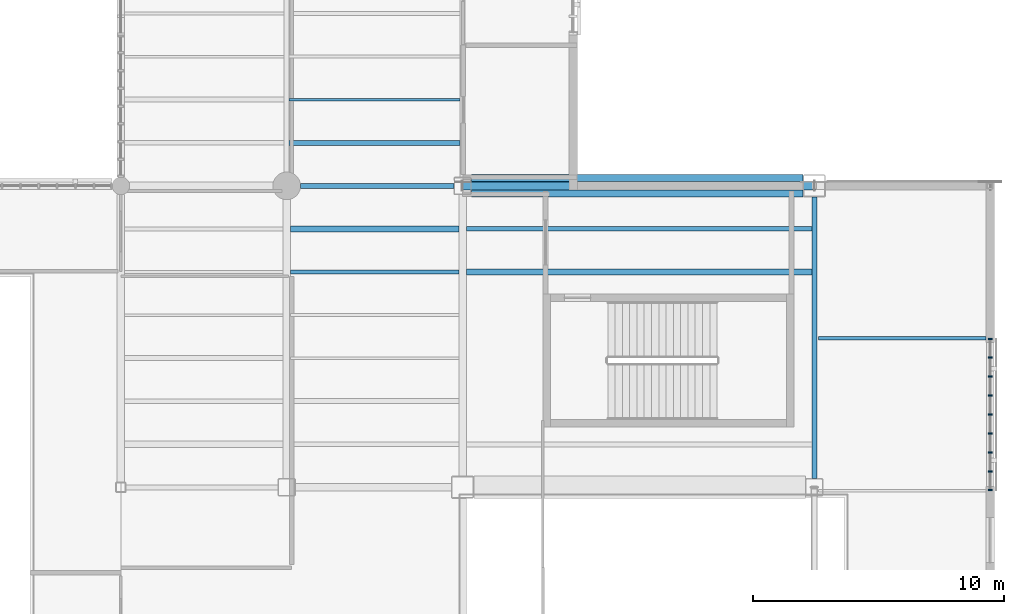
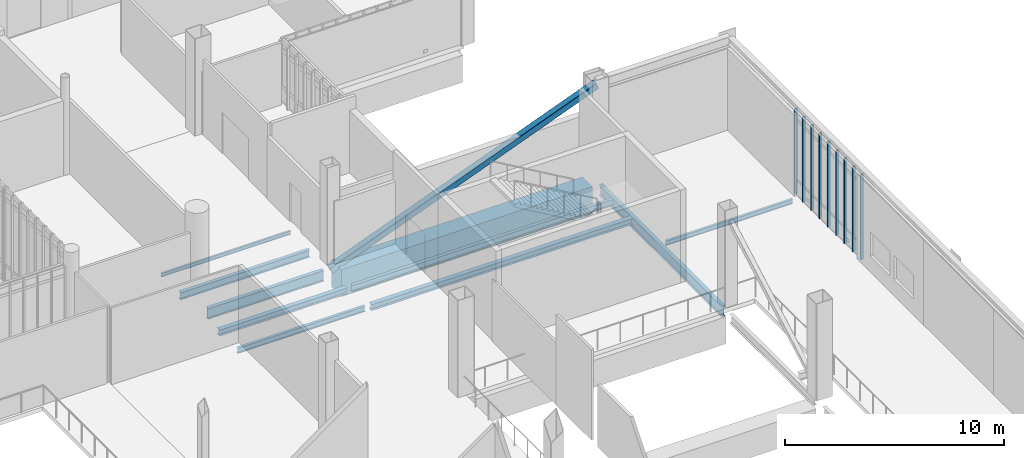
# One storey, part 29 of 127: 10 beams, 10 members, 1 element without a shape of its own.
"""IFC4 building model written with IfcOpenShell, lengths in metres."""

from ifc_helpers import new_model, si_unit, direction, frame, origin, origin_2d, place, context, subcontext, project, spatial, rectangle, hollow_rectangle, i_section, extrude, material, material_profile, profile_set, type_object, element, aggregate, save


model = new_model("IFC4")

# Units and contexts
model_context = context("Model", 3, precision=1e-05, world=origin(), true_north=direction((0.0, 1.0)))
body_context = subcontext(model_context, "Body", "Model", "MODEL_VIEW")
ifc_project = project(units=[si_unit("LENGTHUNIT", "METRE"), si_unit("AREAUNIT", "SQUARE_METRE"), si_unit("VOLUMEUNIT", "CUBIC_METRE"), si_unit("PLANEANGLEUNIT", "RADIAN"), si_unit("MASSUNIT", "GRAM", prefix="KILO")], contexts=[model_context])

# Site, building, storey
site_placement = place(None, origin())
site = spatial("IfcSite", under=ifc_project, at=site_placement, CompositionType="ELEMENT")
building_placement = place(site_placement, origin())
building = spatial("IfcBuilding", under=site, at=building_placement, Name="Larkvane Passage Sports Hall", CompositionType="ELEMENT")
storey_placement = place(building_placement, frame((0.0, 0.0, 5.39990234375)))
storey = spatial("IfcBuildingStorey", under=building, at=storey_placement, Name="L01", CompositionType="ELEMENT", Elevation=5.39990234375)

# Beams
ifc_material_1 = material(Name="Steel S355JR", Category="steel")
ifc_material_profile_1 = material_profile(ifc_material_1, i_section(OverallWidth=0.199951171875, OverallDepth=0.60009765625, WebThickness=0.010986328125, FlangeThickness=0.01708984375, FilletRadius=0.01806640625, at=origin_2d()), Name="H-600x200x11x17")
ifc_profile_set_1 = profile_set([ifc_material_profile_1], Name="Steel S355JR")
beam_type_1 = type_object("IfcBeamType", Name="BM-STL-H600", PredefinedType="BEAM", material=ifc_profile_set_1)
beam_1_placement = place(storey_placement, frame((125.14990234375, 51.60009765625, -0.719970703125), z_axis=(1.0, 0.0, 0.0), x_axis=(0.0, 1.0, 0.0)))
element("IfcBeam", 1, at=beam_1_placement, inside=storey, type_object=beam_type_1, Name="Girder BM5-X-L01-G-0410", PredefinedType="BEAM", context=body_context, shape_type="SweptSolid", body=[
    extrude(i_section(OverallWidth=0.199951171875, OverallDepth=0.60009765625, WebThickness=0.010986328125, FlangeThickness=0.01708984375, FilletRadius=0.01806640625, at=origin_2d()), origin(), (0.0, 0.0, 1.0), 6.10009765625),
])
beam_2_placement = place(storey_placement, frame((145.60009765625, 39.949951171875, -0.719970703125), z_axis=(0.0, 1.0, 0.0), x_axis=(-1.0, 0.0, 0.0)))
element("IfcBeam", 2, at=beam_2_placement, inside=storey, type_object=beam_type_1, Name="Girder BM5-Y-L01-19-0505", PredefinedType="BEAM", context=body_context, shape_type="SweptSolid", body=[
    extrude(i_section(OverallWidth=0.199951171875, OverallDepth=0.60009765625, WebThickness=0.010986328125, FlangeThickness=0.01708984375, FilletRadius=0.01806640625, at=origin_2d()), origin(), (0.0, 0.0, 1.0), 11.199951171875),
])

# Curtain wall, members
ifc_material_2 = material(Name="Thermally broken aluminium and low-E glazing", Category="aluminium")
curtain_wall_type = type_object("IfcCurtainWallType", Name="CW-UNIT-COURT", PredefinedType="USERDEFINED", material=ifc_material_2)
curtain_wall_placement = place(storey_placement, origin())
curtain_wall = element("IfcCurtainWall", 3, at=curtain_wall_placement, inside=storey, type_object=curtain_wall_type, Name="Curtain wall CW5-L01-060", ObjectType="UNITISED CURTAIN WALL", PredefinedType="USERDEFINED")
ifc_material_3 = material(Name="Anodised aluminium 6063-T6", Category="aluminium")
ifc_material_profile_2 = material_profile(ifc_material_3, rectangle(XDim=0.06005859375, YDim=0.14990234375, at=origin_2d()), Name="ALU-MUL-60x150")
ifc_profile_set_2 = profile_set([ifc_material_profile_2], Name="Anodised aluminium 6063-T6")
member_type_1 = type_object("IfcMemberType", Name="CW-MUL-60x150", PredefinedType="MULLION", material=ifc_profile_set_2)
member_1_placement = place(storey_placement, frame((152.60009765625, 45.50341796875, 0.0), z_axis=(0.0, 0.0, 1.0), x_axis=(0.0, -1.0, 0.0)))
member_1 = element("IfcMember", 4, at=member_1_placement, type_object=member_type_1, Name="CW-01 mullion 1", PredefinedType="MULLION", context=body_context, shape_type="SweptSolid", body=[
    extrude(rectangle(XDim=0.06005859375, YDim=0.14990234375, at=origin_2d()), origin(), (0.0, 0.0, 1.0), 4.748046875),
])
member_2_placement = place(storey_placement, frame((152.60009765625, 44.77490234375, 0.0), z_axis=(0.0, 0.0, 1.0), x_axis=(0.0, -1.0, 0.0)))
member_2 = element("IfcMember", 5, at=member_2_placement, type_object=member_type_1, Name="CW-01 mullion 2", PredefinedType="MULLION", context=body_context, shape_type="SweptSolid", body=[
    extrude(rectangle(XDim=0.06005859375, YDim=0.14990234375, at=origin_2d()), origin(), (0.0, 0.0, 1.0), 4.748046875),
])
member_3_placement = place(storey_placement, frame((152.60009765625, 44.0166015625, 0.0), z_axis=(0.0, 0.0, 1.0), x_axis=(0.0, -1.0, 0.0)))
member_3 = element("IfcMember", 6, at=member_3_placement, type_object=member_type_1, Name="CW-01 mullion 3", PredefinedType="MULLION", context=body_context, shape_type="SweptSolid", body=[
    extrude(rectangle(XDim=0.06005859375, YDim=0.14990234375, at=origin_2d()), origin(), (0.0, 0.0, 1.0), 4.748046875),
])
member_4_placement = place(storey_placement, frame((152.60009765625, 43.25830078125, 0.0), z_axis=(0.0, 0.0, 1.0), x_axis=(0.0, -1.0, 0.0)))
member_4 = element("IfcMember", 7, at=member_4_placement, type_object=member_type_1, Name="CW-01 mullion 4", PredefinedType="MULLION", context=body_context, shape_type="SweptSolid", body=[
    extrude(rectangle(XDim=0.06005859375, YDim=0.14990234375, at=origin_2d()), origin(), (0.0, 0.0, 1.0), 4.748046875),
])
member_5_placement = place(storey_placement, frame((152.60009765625, 42.5, 0.0), z_axis=(0.0, 0.0, 1.0), x_axis=(0.0, -1.0, 0.0)))
member_5 = element("IfcMember", 8, at=member_5_placement, type_object=member_type_1, Name="CW-01 mullion 5", PredefinedType="MULLION", context=body_context, shape_type="SweptSolid", body=[
    extrude(rectangle(XDim=0.06005859375, YDim=0.14990234375, at=origin_2d()), origin(), (0.0, 0.0, 1.0), 4.748046875),
])
member_6_placement = place(storey_placement, frame((152.60009765625, 41.74169921875, 0.0), z_axis=(0.0, 0.0, 1.0), x_axis=(0.0, -1.0, 0.0)))
member_6 = element("IfcMember", 9, at=member_6_placement, type_object=member_type_1, Name="CW-01 mullion 6", PredefinedType="MULLION", context=body_context, shape_type="SweptSolid", body=[
    extrude(rectangle(XDim=0.06005859375, YDim=0.14990234375, at=origin_2d()), origin(), (0.0, 0.0, 1.0), 4.748046875),
])
member_7_placement = place(storey_placement, frame((152.60009765625, 40.9833984375, 0.0), z_axis=(0.0, 0.0, 1.0), x_axis=(0.0, -1.0, 0.0)))
member_7 = element("IfcMember", 10, at=member_7_placement, type_object=member_type_1, Name="CW-01 mullion 7", PredefinedType="MULLION", context=body_context, shape_type="SweptSolid", body=[
    extrude(rectangle(XDim=0.06005859375, YDim=0.14990234375, at=origin_2d()), origin(), (0.0, 0.0, 1.0), 4.748046875),
])
member_8_placement = place(storey_placement, frame((152.60009765625, 40.22509765625, 0.0), z_axis=(0.0, 0.0, 1.0), x_axis=(0.0, -1.0, 0.0)))
member_8 = element("IfcMember", 11, at=member_8_placement, type_object=member_type_1, Name="CW-01 mullion 8", PredefinedType="MULLION", context=body_context, shape_type="SweptSolid", body=[
    extrude(rectangle(XDim=0.06005859375, YDim=0.14990234375, at=origin_2d()), origin(), (0.0, 0.0, 1.0), 4.748046875),
])
member_9_placement = place(storey_placement, frame((152.60009765625, 39.49658203125, 0.0), z_axis=(0.0, 0.0, 1.0), x_axis=(0.0, -1.0, 0.0)))
member_9 = element("IfcMember", 12, at=member_9_placement, type_object=member_type_1, Name="CW-01 mullion 9", PredefinedType="MULLION", context=body_context, shape_type="SweptSolid", body=[
    extrude(rectangle(XDim=0.06005859375, YDim=0.14990234375, at=origin_2d()), origin(), (0.0, 0.0, 1.0), 4.748046875),
])
aggregate(curtain_wall, [member_1, member_2, member_3, member_4, member_5, member_6, member_7, member_8, member_9])

# Beams
ifc_material_profile_3 = material_profile(ifc_material_1, i_section(OverallWidth=0.10009765625, OverallDepth=0.199951171875, WebThickness=0.005615234375, FlangeThickness=0.008056640625, FilletRadius=0.008056640625, at=origin_2d()), Name="H-200x100x5.5x8")
ifc_profile_set_3 = profile_set([ifc_material_profile_3], Name="Steel S355JR")
beam_type_2 = type_object("IfcBeamType", Name="JST-STL-H200", PredefinedType="JOIST", material=ifc_profile_set_3)
beam_3_placement = place(storey_placement, frame((124.699951171875, 55.028564453125, -0.52001953125), z_axis=(1.0, 0.0, 0.0), x_axis=(0.0, 1.0, 0.0)))
element("IfcBeam", 13, at=beam_3_placement, inside=storey, type_object=beam_type_2, Name="Composite joist L01 17/G-2", PredefinedType="JOIST", context=body_context, shape_type="SweptSolid", body=[
    extrude(i_section(OverallWidth=0.10009765625, OverallDepth=0.199951171875, WebThickness=0.005615234375, FlangeThickness=0.008056640625, FilletRadius=0.008056640625, at=origin_2d()), origin(), (0.0, 0.0, 1.0), 6.800048828125),
])
ifc_material_profile_4 = material_profile(ifc_material_1, i_section(OverallWidth=0.125, OverallDepth=0.25, WebThickness=0.006103515625, FlangeThickness=0.009033203125, FilletRadius=0.008056640625, at=origin_2d()), Name="H-250x125x6x9")
ifc_profile_set_4 = profile_set([ifc_material_profile_4], Name="Steel S355JR")
beam_type_3 = type_object("IfcBeamType", Name="JST-STL-H250", PredefinedType="JOIST", material=ifc_profile_set_4)
beam_4_placement = place(storey_placement, frame((145.760009765625, 45.533447265625, -0.35498046875), z_axis=(1.0, 0.0, 0.0), x_axis=(0.0, 1.0, 0.0)))
element("IfcBeam", 14, at=beam_4_placement, inside=storey, type_object=beam_type_3, Name="Cantilever floor joist CT-E1A--2-5", PredefinedType="JOIST", context=body_context, shape_type="SweptSolid", body=[
    extrude(i_section(OverallWidth=0.125, OverallDepth=0.25, WebThickness=0.006103515625, FlangeThickness=0.009033203125, FilletRadius=0.008056640625, at=origin_2d()), origin(), (0.0, 0.0, 1.0), 6.679931640625),
])
ifc_material_profile_5 = material_profile(ifc_material_1, i_section(OverallWidth=0.14990234375, OverallDepth=0.300048828125, WebThickness=0.006591796875, FlangeThickness=0.009033203125, FilletRadius=0.012939453125, at=origin_2d()), Name="H-300x150x6.5x9")
ifc_profile_set_5 = profile_set([ifc_material_profile_5], Name="Steel S355JR")
beam_type_4 = type_object("IfcBeamType", Name="JST-STL-H300", PredefinedType="JOIST", material=ifc_profile_set_5)
beam_5_placement = place(storey_placement, frame((124.75, 48.17138671875, -0.56982421875), z_axis=(1.0, 0.0, 0.0), x_axis=(0.0, 1.0, 0.0)))
element("IfcBeam", 15, at=beam_5_placement, inside=storey, type_object=beam_type_4, Name="Composite joist L01 17/F-5", PredefinedType="JOIST", context=body_context, shape_type="SweptSolid", body=[
    extrude(i_section(OverallWidth=0.14990234375, OverallDepth=0.300048828125, WebThickness=0.006591796875, FlangeThickness=0.009033203125, FilletRadius=0.012939453125, at=origin_2d()), origin(), (0.0, 0.0, 1.0), 6.699951171875),
])
ifc_material_profile_6 = material_profile(ifc_material_1, i_section(OverallWidth=0.25, OverallDepth=0.340087890625, WebThickness=0.009033203125, FlangeThickness=0.013916015625, FilletRadius=0.012939453125, at=origin_2d()), Name="H-340x250x9x14")
ifc_profile_set_6 = profile_set([ifc_material_profile_6], Name="Steel S355JR")
beam_type_5 = type_object("IfcBeamType", Name="JST-STL-H340", PredefinedType="JOIST", material=ifc_profile_set_6)
beam_6_placement = place(storey_placement, frame((124.75, 49.8857421875, -0.58984375), z_axis=(1.0, 0.0, 0.0), x_axis=(0.0, 1.0, 0.0)))
element("IfcBeam", 16, at=beam_6_placement, inside=storey, type_object=beam_type_5, Name="Composite joist L01 17/F-6", PredefinedType="JOIST", context=body_context, shape_type="SweptSolid", body=[
    extrude(i_section(OverallWidth=0.25, OverallDepth=0.340087890625, WebThickness=0.009033203125, FlangeThickness=0.013916015625, FilletRadius=0.012939453125, at=origin_2d()), origin(), (0.0, 0.0, 1.0), 6.699951171875),
])
beam_7_placement = place(storey_placement, frame((131.75, 48.17138671875, -0.58984375), z_axis=(1.0, 0.0, 0.0), x_axis=(0.0, 1.0, 0.0)))
element("IfcBeam", 17, at=beam_7_placement, inside=storey, type_object=beam_type_5, Name="Composite joist L01 18/F-5", PredefinedType="JOIST", context=body_context, shape_type="SweptSolid", body=[
    extrude(i_section(OverallWidth=0.25, OverallDepth=0.340087890625, WebThickness=0.009033203125, FlangeThickness=0.013916015625, FilletRadius=0.012939453125, at=origin_2d()), origin(), (0.0, 0.0, 1.0), 13.75),
])
ifc_material_profile_7 = material_profile(ifc_material_1, i_section(OverallWidth=0.175048828125, OverallDepth=0.35009765625, WebThickness=0.007080078125, FlangeThickness=0.010986328125, FilletRadius=0.012939453125, at=origin_2d()), Name="H-350x175x7x11")
ifc_profile_set_7 = profile_set([ifc_material_profile_7], Name="Steel S355JR")
beam_type_6 = type_object("IfcBeamType", Name="JST-STL-H350", PredefinedType="JOIST", material=ifc_profile_set_7)
beam_8_placement = place(storey_placement, frame((131.75, 49.8857421875, -0.594970703125), z_axis=(1.0, 0.0, 0.0), x_axis=(0.0, 1.0, 0.0)))
element("IfcBeam", 18, at=beam_8_placement, inside=storey, type_object=beam_type_6, Name="Composite joist L01 18/F-6", PredefinedType="JOIST", context=body_context, shape_type="SweptSolid", body=[
    extrude(i_section(OverallWidth=0.175048828125, OverallDepth=0.35009765625, WebThickness=0.007080078125, FlangeThickness=0.010986328125, FilletRadius=0.012939453125, at=origin_2d()), origin(), (0.0, 0.0, 1.0), 13.75),
])
ifc_material_profile_8 = material_profile(ifc_material_1, i_section(OverallWidth=0.199951171875, OverallDepth=0.39990234375, WebThickness=0.008056640625, FlangeThickness=0.012939453125, FilletRadius=0.012939453125, at=origin_2d()), Name="H-400x200x8x13")
ifc_profile_set_8 = profile_set([ifc_material_profile_8], Name="Steel S355JR")
beam_type_7 = type_object("IfcBeamType", Name="JST-STL-H400", PredefinedType="JOIST", material=ifc_profile_set_8)
beam_9_placement = place(storey_placement, frame((124.699951171875, 53.314208984375, -0.619873046875), z_axis=(1.0, 0.0, 0.0), x_axis=(0.0, 1.0, 0.0)))
element("IfcBeam", 19, at=beam_9_placement, inside=storey, type_object=beam_type_7, Name="Composite joist L01 17/G-1", PredefinedType="JOIST", context=body_context, shape_type="SweptSolid", body=[
    extrude(i_section(OverallWidth=0.199951171875, OverallDepth=0.39990234375, WebThickness=0.008056640625, FlangeThickness=0.012939453125, FilletRadius=0.012939453125, at=origin_2d()), origin(), (0.0, 0.0, 1.0), 6.800048828125),
])

# Member
ifc_material_4 = material(Name="Steel S460N", Category="steel")
ifc_material_profile_9 = material_profile(ifc_material_4, hollow_rectangle(XDim=0.35009765625, YDim=0.35009765625, WallThickness=0.01611328125, InnerFilletRadius=0.01611328125, OuterFilletRadius=0.031982421875, at=origin_2d()), Name="SHS-350x350x16")
ifc_profile_set_9 = profile_set([ifc_material_profile_9], Name="Steel S460N")
member_type_2 = type_object("IfcMemberType", Name="MBR-BR-SHS350", PredefinedType="BRACE", material=ifc_profile_set_9)
member_10_placement = place(storey_placement, frame((131.60009765625, 51.60009765625, -0.52392578125), z_axis=(0.93344583894, 0.0, 0.358718365526), x_axis=(0.0, 1.0, 0.0)))
element("IfcMember", 20, at=member_10_placement, inside=storey, type_object=member_type_2, Name="Cantilever truss CT-E1A-2 web diagonal 1", PredefinedType="BRACE", context=body_context, shape_type="SweptSolid", body=[
    extrude(hollow_rectangle(XDim=0.35009765625, YDim=0.35009765625, WallThickness=0.01611328125, InnerFilletRadius=0.01611328125, OuterFilletRadius=0.031982421875, at=origin_2d()), origin(), (0.0, 0.0, 1.0), 14.998291015625),
])

# Beam
ifc_material_5 = material(Name="Concrete C50/60", Category="concrete")
ifc_material_profile_10 = material_profile(ifc_material_5, rectangle(XDim=0.89990234375, YDim=1.5, at=origin_2d()), Name="PT-GIR-900x1500")
ifc_profile_set_10 = profile_set([ifc_material_profile_10], Name="Concrete C50/60")
beam_type_8 = type_object("IfcBeamType", Name="PTG-900x1500", PredefinedType="BEAM", material=ifc_profile_set_10)
beam_10_placement = place(storey_placement, frame((131.949951171875, 51.60009765625, -1.169921875), z_axis=(1.0, 0.0, 0.0), x_axis=(0.0, 1.0, 0.0)))
element("IfcBeam", 21, at=beam_10_placement, inside=storey, type_object=beam_type_8, Name="Post-tensioned transfer girder BM5-X-L01-G-0411", PredefinedType="BEAM", context=body_context, shape_type="SweptSolid", body=[
    extrude(rectangle(XDim=0.89990234375, YDim=1.5, at=origin_2d()), origin(), (0.0, 0.0, 1.0), 13.199951171875),
])

save(model, "model.ifc")
